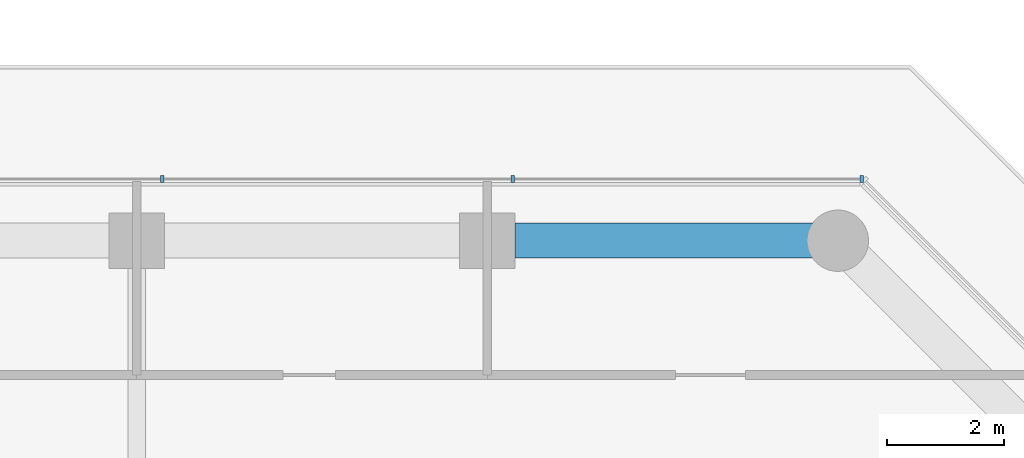
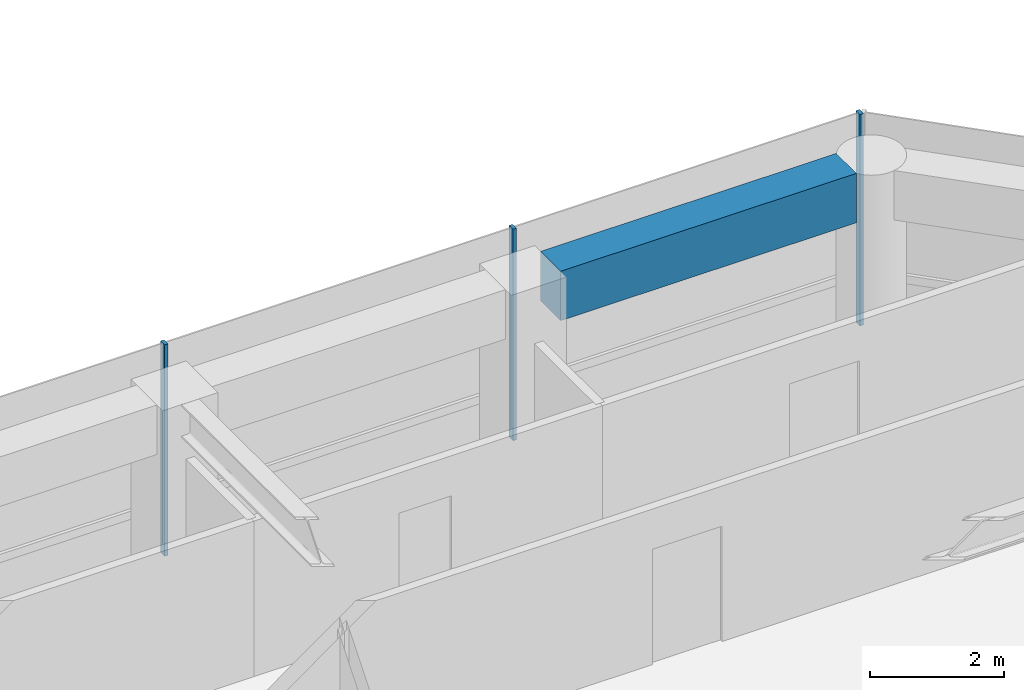
# One storey, part 11 of 27: 3 members, 1 beam, 1 element without a shape of its own.
"""IFC4 building model written with IfcOpenShell, lengths in metres."""

from ifc_helpers import new_model, si_unit, direction, frame, origin, origin_2d, place, context, subcontext, project, spatial, rectangle, extrude, material, layer, layer_set, material_profile, profile_set, type_object, element, aggregate, save


model = new_model("IFC4")

# Units and contexts
model_context = context("Model", 3, precision=1e-05, world=origin(), true_north=direction((0.0, 1.0)))
body_context = subcontext(model_context, "Body", "Model", "MODEL_VIEW")
ifc_project = project(units=[si_unit("LENGTHUNIT", "METRE"), si_unit("AREAUNIT", "SQUARE_METRE"), si_unit("VOLUMEUNIT", "CUBIC_METRE"), si_unit("PLANEANGLEUNIT", "RADIAN"), si_unit("MASSUNIT", "GRAM", prefix="KILO")], contexts=[model_context])

# Site, building, storey
site_placement = place(None, origin())
site = spatial("IfcSite", under=ifc_project, at=site_placement, CompositionType="ELEMENT")
building_placement = place(site_placement, origin())
building = spatial("IfcBuilding", under=site, at=building_placement, Name="Welwitschia Terrace Campus", CompositionType="ELEMENT")
storey_placement = place(building_placement, frame((0.0, 0.0, 37.39990234375)))
storey = spatial("IfcBuildingStorey", under=building, at=storey_placement, Name="L08", CompositionType="ELEMENT", Elevation=37.39990234375)

# Curtain wall, members
ifc_material_1 = material(Name="Bronze anodised aluminium", Category="aluminium")
ifc_layer = layer(ifc_material_1, 0.1201171875)
ifc_layer_set = layer_set([ifc_layer], Name="Bronze anodised aluminium")
curtain_wall_type = type_object("IfcCurtainWallType", Name="Curtain wall CW2 tower 6000", PredefinedType="NOTDEFINED", material=ifc_layer_set)
curtain_wall_placement = place(storey_placement, origin())
curtain_wall = element("IfcCurtainWall", 1, at=curtain_wall_placement, inside=storey, type_object=curtain_wall_type, Name="CW L08.8.0", PredefinedType="NOTDEFINED")
ifc_material_2 = material(Name="Bronze anodised aluminium", Category="aluminium")
ifc_material_profile_1 = material_profile(ifc_material_2, rectangle(XDim=0.1201171875, YDim=0.06005859375, at=origin_2d()))
ifc_profile_set_1 = profile_set([ifc_material_profile_1], Name="Bronze anodised aluminium")
member_type = type_object("IfcMemberType", Name="Mullion 60x120", PredefinedType="MULLION", material=ifc_profile_set_1)
member_1_placement = place(storey_placement, frame((60.408203125, 21.05810546875, 0.0), z_axis=(0.0, 0.0, 1.0), x_axis=(0.0, -1.0, 0.0)))
member_1 = element("IfcMember", 2, at=member_1_placement, type_object=member_type, Name="Mullion L08.8.0.0", PredefinedType="MULLION", context=body_context, shape_type="SweptSolid", body=[
    extrude(rectangle(XDim=0.1201171875, YDim=0.06005859375, at=origin_2d()), origin(), (0.0, 0.0, 1.0), 3.85009765625),
])
member_2_placement = place(storey_placement, frame((54.438232421875, 21.05810546875, 0.0), z_axis=(0.0, 0.0, 1.0), x_axis=(0.0, -1.0, 0.0)))
member_2 = element("IfcMember", 3, at=member_2_placement, type_object=member_type, Name="Mullion L08.8.0.1", PredefinedType="MULLION", context=body_context, shape_type="SweptSolid", body=[
    extrude(rectangle(XDim=0.1201171875, YDim=0.06005859375, at=origin_2d()), origin(), (0.0, 0.0, 1.0), 3.85009765625),
])
member_3_placement = place(storey_placement, frame((48.438232421875, 21.05810546875, 0.0), z_axis=(0.0, 0.0, 1.0), x_axis=(0.0, -1.0, 0.0)))
member_3 = element("IfcMember", 4, at=member_3_placement, type_object=member_type, Name="Mullion L08.8.0.2", PredefinedType="MULLION", context=body_context, shape_type="SweptSolid", body=[
    extrude(rectangle(XDim=0.1201171875, YDim=0.06005859375, at=origin_2d()), origin(), (0.0, 0.0, 1.0), 3.85009765625),
])
aggregate(curtain_wall, [member_1, member_2, member_3])

# Beam
ifc_material_3 = material(Name="Concrete C60/75", Category="concrete")
ifc_material_profile_2 = material_profile(ifc_material_3, rectangle(XDim=0.60009765625, YDim=0.89990234375, at=origin_2d()))
ifc_profile_set_2 = profile_set([ifc_material_profile_2], Name="Concrete C60/75")
beam_type = type_object("IfcBeamType", Name="Ring spandrel 600x900", PredefinedType="SPANDREL", material=ifc_profile_set_2)
beam_placement = place(storey_placement, frame((59.568603515625, 20.0, 3.400146484375), z_axis=(-1.0, 0.0, 0.0), x_axis=(0.0, -1.0, 0.0)))
element("IfcBeam", 5, at=beam_placement, inside=storey, type_object=beam_type, Name="Spandrel SP2", PredefinedType="SPANDREL", context=body_context, shape_type="SweptSolid", body=[
    extrude(rectangle(XDim=0.60009765625, YDim=0.89990234375, at=origin_2d()), origin(), (0.0, 0.0, 1.0), 5.093017578125),
])

save(model, "model.ifc")
